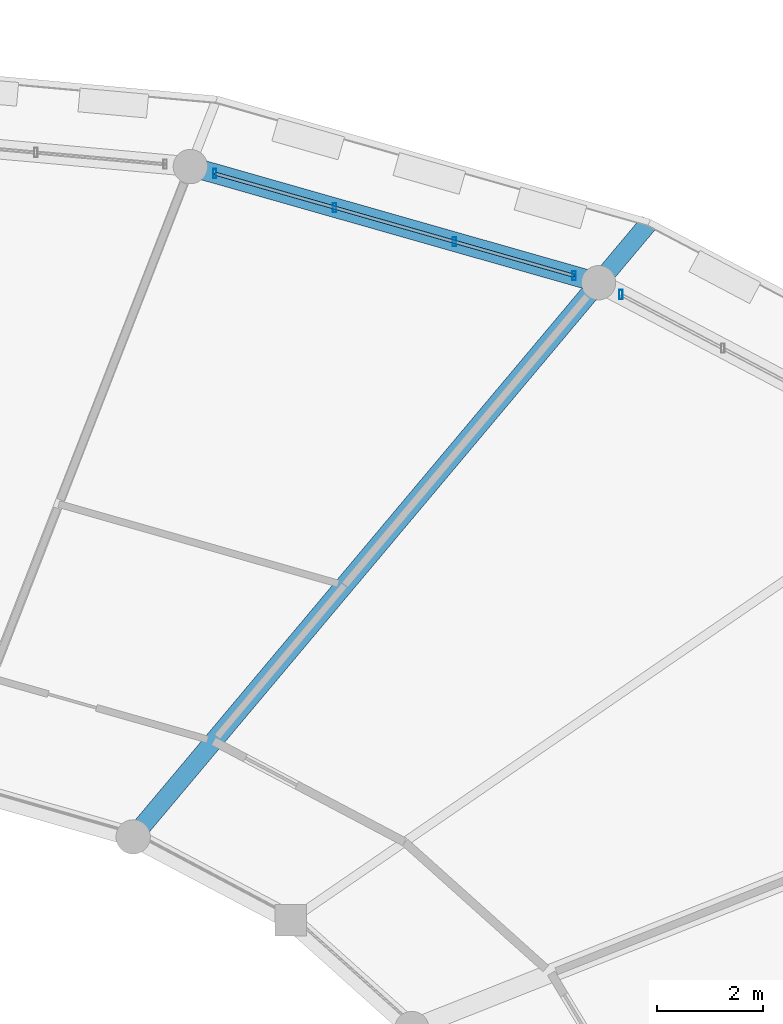
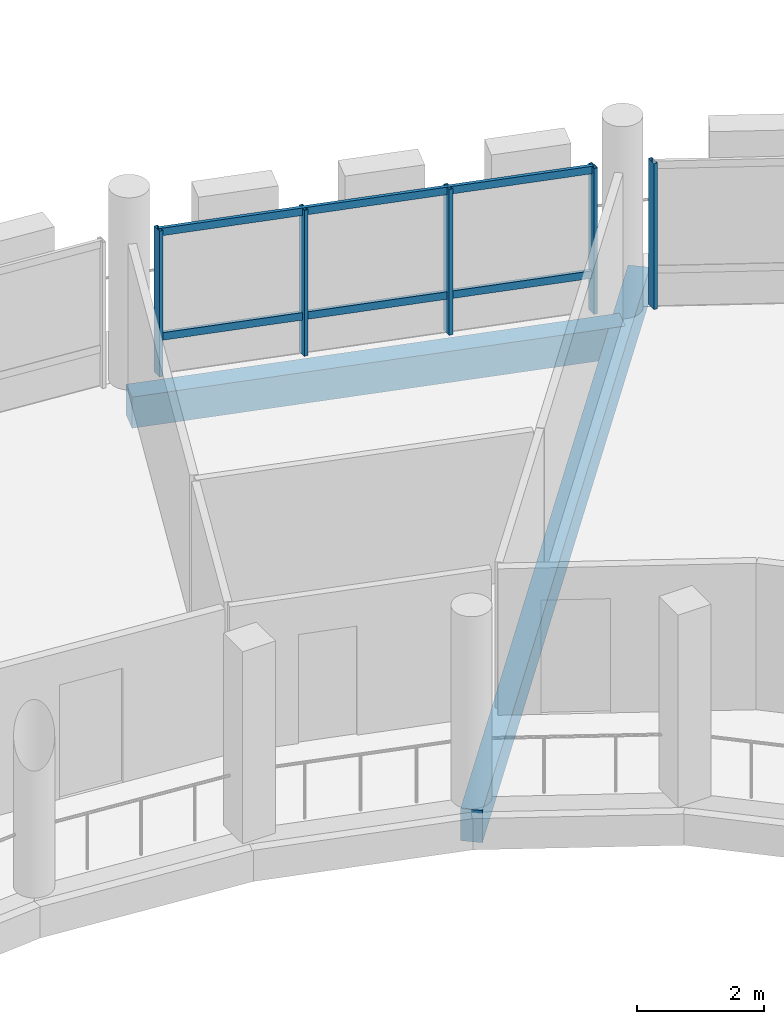
# One storey, part 50 of 84: 7 members, 2 beams, 2 elements without a shape of their own.
"""IFC4 building model written with IfcOpenShell, lengths in metres."""

from ifc_helpers import new_model, si_unit, direction, frame, origin, origin_2d, place, context, subcontext, project, spatial, rectangle, hollow_rectangle, extrude, material, material_profile, profile_set, type_object, element, aggregate, save


model = new_model("IFC4")

# Units and contexts
model_context = context("Model", 3, precision=1e-05, world=origin(), true_north=direction((0.0, 1.0)))
body_context = subcontext(model_context, "Body", "Model", "MODEL_VIEW")
ifc_project = project(units=[si_unit("LENGTHUNIT", "METRE"), si_unit("AREAUNIT", "SQUARE_METRE"), si_unit("VOLUMEUNIT", "CUBIC_METRE"), si_unit("PLANEANGLEUNIT", "RADIAN"), si_unit("MASSUNIT", "GRAM", prefix="KILO")], contexts=[model_context])

# Site, building, storey
site_placement = place(None, origin())
site = spatial("IfcSite", under=ifc_project, at=site_placement, CompositionType="ELEMENT")
building_placement = place(site_placement, origin())
building = spatial("IfcBuilding", under=site, at=building_placement, Name="Zornivar Specialist Clinic", CompositionType="ELEMENT")
storey_placement = place(building_placement, frame((0.0, 0.0, 12.300048828125)))
storey = spatial("IfcBuildingStorey", under=building, at=storey_placement, Name="L03", CompositionType="ELEMENT", Elevation=12.300048828125)

# Beams
ifc_material_1 = material(Name="Concrete C30/37", Category="concrete")
ifc_material_profile_1 = material_profile(ifc_material_1, rectangle(XDim=0.35009765625, YDim=0.6201171875, at=origin_2d()), Name="RC 350x620")
ifc_profile_set_1 = profile_set([ifc_material_profile_1], Name="Concrete C30/37")
beam_type_1 = type_object("IfcBeamType", Name="BM-RC-CANT-350x620", PredefinedType="BEAM", material=ifc_profile_set_1)
beam_1_placement = place(storey_placement, frame((100.800048828125, 66.174072265625, -0.550048828125), z_axis=(0.643102291661, 0.765780283411, 0.0), x_axis=(-0.765780283411, 0.643102291661, 0.0)))
element("IfcBeam", 1, at=beam_1_placement, inside=storey, type_object=beam_type_1, Name="bm:V1:L03:radcant:04", PredefinedType="BEAM", context=body_context, shape_type="SweptSolid", body=[
    extrude(rectangle(XDim=0.35009765625, YDim=0.6201171875, at=origin_2d()), origin(), (0.0, 0.0, 1.0), 15.176513671875),
])
ifc_material_2 = material(Name="Concrete C30/37", Category="concrete")
ifc_material_profile_2 = material_profile(ifc_material_2, rectangle(XDim=0.3701171875, YDim=0.60009765625, at=origin_2d()), Name="RC 370x600")
ifc_profile_set_2 = profile_set([ifc_material_profile_2], Name="Concrete C30/37")
beam_type_2 = type_object("IfcBeamType", Name="BM-RC-SPANDREL-370x600", PredefinedType="SPANDREL", material=ifc_profile_set_2)
beam_2_placement = place(storey_placement, frame((109.60009765625, 76.653076171875, -0.5400390625), z_axis=(-0.961790992591, 0.273784744957, 0.0), x_axis=(-0.273784744957, -0.961790992591, 0.0)))
element("IfcBeam", 2, at=beam_2_placement, inside=storey, type_object=beam_type_2, Name="bm:V1:L03:outring:04", PredefinedType="SPANDREL", context=body_context, shape_type="SweptSolid", body=[
    extrude(rectangle(XDim=0.3701171875, YDim=0.60009765625, at=origin_2d()), origin(), (0.0, 0.0, 1.0), 8.024658203125),
])

# Curtain wall, member
ifc_material_3 = material(Name="Aluminium and Low-E Glass Curtain Wall", Category="aluminium")
curtain_wall_type = type_object("IfcCurtainWallType", Name="CW-DRUM-FACET", PredefinedType="NOTDEFINED", material=ifc_material_3)
curtain_wall_1_placement = place(storey_placement, origin())
curtain_wall_1 = element("IfcCurtainWall", 3, at=curtain_wall_1_placement, inside=storey, type_object=curtain_wall_type, Name="cw:V1:L03:c03", PredefinedType="NOTDEFINED")
ifc_material_4 = material(Name="Aluminium AW-6060", Category="aluminium")
ifc_material_profile_3 = material_profile(ifc_material_4, hollow_rectangle(XDim=0.06494140625, YDim=0.175048828125, WallThickness=0.00439453125, at=origin_2d()), Name="ALU 65x175x4.5")
ifc_profile_set_3 = profile_set([ifc_material_profile_3], Name="Aluminium AW-6060")
member_type_1 = type_object("IfcMemberType", Name="CWM-MUL-175", PredefinedType="MULLION", material=ifc_profile_set_3)
member_1_placement = place(storey_placement, frame((110.02392578125, 76.428955078125, 0.0), z_axis=(0.0, 0.0, 1.0), x_axis=(1.0, 0.0, 0.0)))
member_1 = element("IfcMember", 4, at=member_1_placement, type_object=member_type_1, Name="cw:V1:L03:c03:mul:3", PredefinedType="MULLION", context=body_context, shape_type="SweptSolid", body=[
    extrude(hollow_rectangle(XDim=0.06494140625, YDim=0.175048828125, WallThickness=0.00439453125, at=origin_2d()), origin(), (0.0, 0.0, 1.0), 2.81005859375),
])
aggregate(curtain_wall_1, [member_1])

# Curtain wall, members
curtain_wall_2_placement = place(storey_placement, origin())
curtain_wall_2 = element("IfcCurtainWall", 5, at=curtain_wall_2_placement, inside=storey, type_object=curtain_wall_type, Name="cw:V1:L03:c04", PredefinedType="NOTDEFINED")
member_2_placement = place(storey_placement, frame((109.138916015625, 76.783935546875, 0.0), z_axis=(0.0, 0.0, 1.0), x_axis=(1.0, 0.0, 0.0)))
member_2 = element("IfcMember", 6, at=member_2_placement, type_object=member_type_1, Name="cw:V1:L03:c04:mul:0", PredefinedType="MULLION", context=body_context, shape_type="SweptSolid", body=[
    extrude(hollow_rectangle(XDim=0.06494140625, YDim=0.175048828125, WallThickness=0.00439453125, at=origin_2d()), origin(), (0.0, 0.0, 1.0), 2.81005859375),
])
member_3_placement = place(storey_placement, frame((106.8740234375, 77.428955078125, 0.0), z_axis=(0.0, 0.0, 1.0), x_axis=(1.0, 0.0, 0.0)))
member_3 = element("IfcMember", 7, at=member_3_placement, type_object=member_type_1, Name="cw:V1:L03:c04:mul:1", PredefinedType="MULLION", context=body_context, shape_type="SweptSolid", body=[
    extrude(hollow_rectangle(XDim=0.06494140625, YDim=0.175048828125, WallThickness=0.00439453125, at=origin_2d()), origin(), (0.0, 0.0, 1.0), 2.81005859375),
])
member_4_placement = place(storey_placement, frame((104.60791015625, 78.072998046875, 0.0), z_axis=(0.0, 0.0, 1.0), x_axis=(1.0, 0.0, 0.0)))
member_4 = element("IfcMember", 8, at=member_4_placement, type_object=member_type_1, Name="cw:V1:L03:c04:mul:2", PredefinedType="MULLION", context=body_context, shape_type="SweptSolid", body=[
    extrude(hollow_rectangle(XDim=0.06494140625, YDim=0.175048828125, WallThickness=0.00439453125, at=origin_2d()), origin(), (0.0, 0.0, 1.0), 2.81005859375),
])
member_5_placement = place(storey_placement, frame((102.343017578125, 78.718017578125, 0.0), z_axis=(0.0, 0.0, 1.0), x_axis=(1.0, 0.0, 0.0)))
member_5 = element("IfcMember", 9, at=member_5_placement, type_object=member_type_1, Name="cw:V1:L03:c04:mul:3", PredefinedType="MULLION", context=body_context, shape_type="SweptSolid", body=[
    extrude(hollow_rectangle(XDim=0.06494140625, YDim=0.175048828125, WallThickness=0.00439453125, at=origin_2d()), origin(), (0.0, 0.0, 1.0), 2.81005859375),
])
ifc_material_5 = material(Name="Aluminium AW-6060", Category="aluminium")
ifc_material_profile_4 = material_profile(ifc_material_5, hollow_rectangle(XDim=0.06005859375, YDim=0.14501953125, WallThickness=0.00390625, at=origin_2d()), Name="ALU 60x145x4")
ifc_profile_set_4 = profile_set([ifc_material_profile_4], Name="Aluminium AW-6060")
member_type_2 = type_object("IfcMemberType", Name="CWM-TRN-145", PredefinedType="USERDEFINED", material=ifc_profile_set_4)
member_6_placement = place(storey_placement, frame((109.138916015625, 76.783935546875, 0.73095703125), z_axis=(-0.961771283353, 0.27385397298, 0.0), x_axis=(-0.27385397298, -0.961771283353, 0.0)))
member_6 = element("IfcMember", 10, at=member_6_placement, type_object=member_type_2, Name="cw:V1:L03:c04:trn:0", ObjectType="TRANSOM", PredefinedType="USERDEFINED", context=body_context, shape_type="SweptSolid", body=[
    extrude(hollow_rectangle(XDim=0.06005859375, YDim=0.14501953125, WallThickness=0.00390625, at=origin_2d()), origin(), (0.0, 0.0, 1.0), 7.06591796875),
])
member_7_placement = place(storey_placement, frame((109.138916015625, 76.783935546875, 2.744873046875), z_axis=(-0.961771283353, 0.27385397298, 0.0), x_axis=(-0.27385397298, -0.961771283353, 0.0)))
member_7 = element("IfcMember", 11, at=member_7_placement, type_object=member_type_2, Name="cw:V1:L03:c04:trn:1", ObjectType="TRANSOM", PredefinedType="USERDEFINED", context=body_context, shape_type="SweptSolid", body=[
    extrude(hollow_rectangle(XDim=0.06005859375, YDim=0.14501953125, WallThickness=0.00390625, at=origin_2d()), origin(), (0.0, 0.0, 1.0), 7.06591796875),
])
aggregate(curtain_wall_2, [member_2, member_3, member_4, member_5, member_6, member_7])

save(model, "model.ifc")
